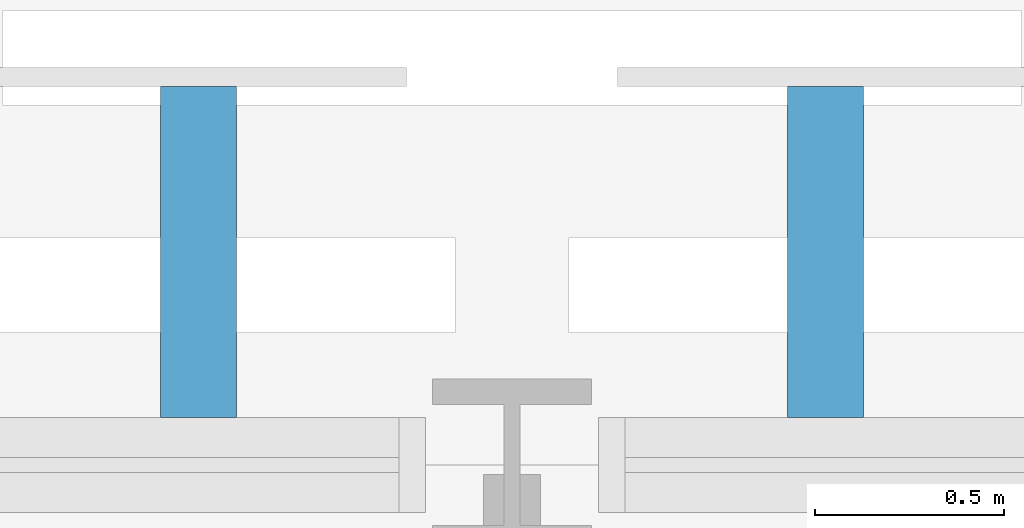
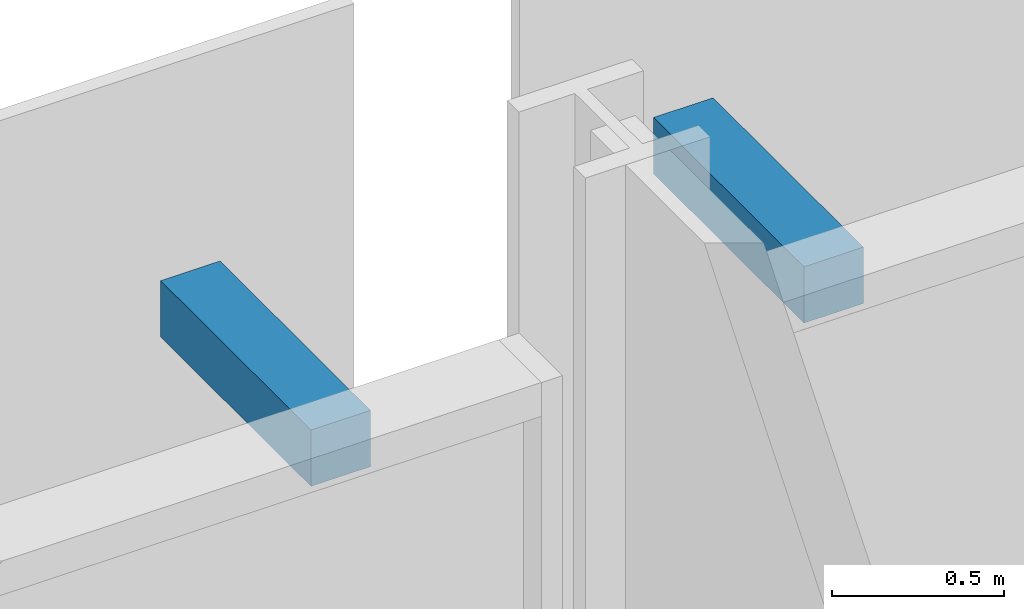
# One storey, part 19 of 31: 2 discrete accessories.
"""IFC4 building model written with IfcOpenShell, lengths in metres."""

from ifc_helpers import new_model, si_unit, direction, frame, origin, origin_2d, place, context, subcontext, project, spatial, rectangle, extrude, material, type_object, element, save


model = new_model("IFC4")

# Units and contexts
model_context = context("Model", 3, precision=1e-05, world=origin(), true_north=direction((0.0, 1.0)))
body_context = subcontext(model_context, "Body", "Model", "MODEL_VIEW")
ifc_project = project(units=[si_unit("LENGTHUNIT", "METRE"), si_unit("AREAUNIT", "SQUARE_METRE"), si_unit("VOLUMEUNIT", "CUBIC_METRE"), si_unit("PLANEANGLEUNIT", "RADIAN"), si_unit("MASSUNIT", "GRAM", prefix="KILO")], contexts=[model_context])

# Site, building, storey
site_placement = place(None, origin())
site = spatial("IfcSite", under=ifc_project, at=site_placement, CompositionType="ELEMENT")
building_placement = place(site_placement, origin())
building = spatial("IfcBuilding", under=site, at=building_placement, Name="Mahtab Terrace Research Tower", CompositionType="ELEMENT")
storey_placement = place(building_placement, frame((0.0, 0.0, 84.800048828125)))
storey = spatial("IfcBuildingStorey", under=building, at=storey_placement, Name="L19", CompositionType="ELEMENT", Elevation=84.800048828125)

# Discrete accessories
ifc_material = material(Name="Black anodised aluminium", Category="aluminium")
discrete_accessory_type = type_object("IfcDiscreteAccessoryType", Name="Facade bracket", PredefinedType="BRACKET", material=ifc_material)
for number, where, z_axis, x_axis, name in (
    (1, (18.827880859375, 29.5625, 2.703125), (0.0, 0.0, 1.0), (-1.0, 0.0, 0.0), "Screen bracket Girih screen L19 N6"),
    (2, (17.172119140625, 29.5625, 2.703125), (0.0, 0.0, 1.0), (-1.0, 0.0, 0.0), "Screen bracket Girih screen L19 N7"),
):
    element("IfcDiscreteAccessory", number, at=place(storey_placement, frame(where, z_axis=z_axis, x_axis=x_axis)), inside=storey, type_object=discrete_accessory_type, Name=name, PredefinedType="BRACKET", context=body_context, shape_type="SweptSolid", body=[
        extrude(rectangle(XDim=0.199951171875, YDim=0.875, at=origin_2d()), origin(), (0.0, 0.0, 1.0), 0.199951171875),
    ])

save(model, "model.ifc")
